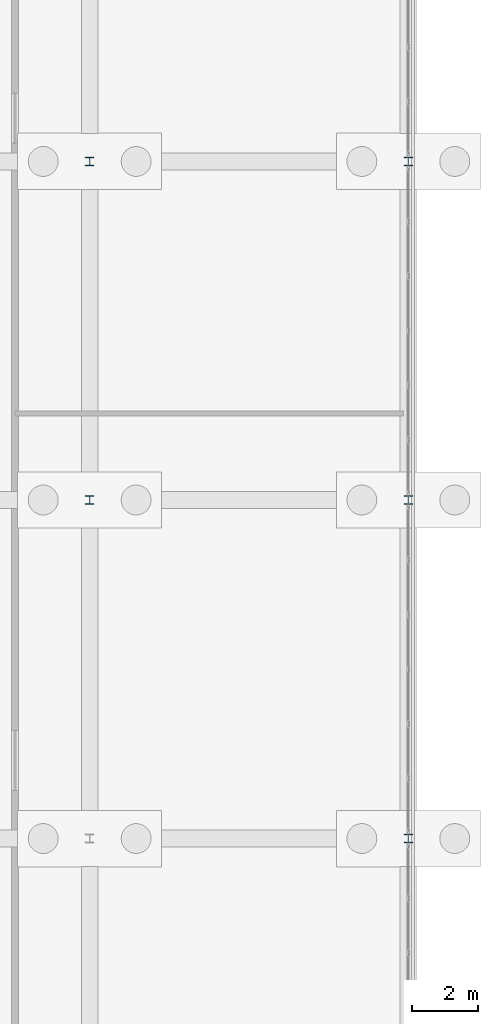
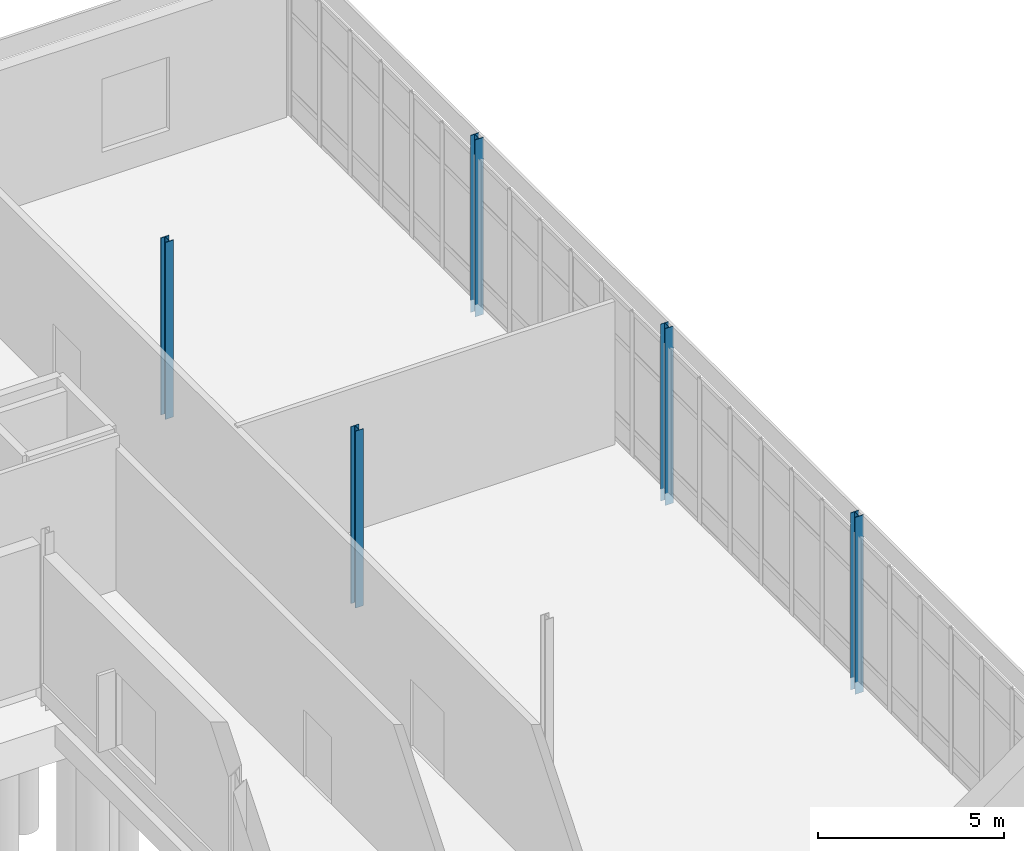
# One storey, part 24 of 137: 5 columns.
"""IFC4 building model written with IfcOpenShell, lengths in metres."""

from ifc_helpers import new_model, si_unit, direction, frame, origin, origin_2d, place, context, subcontext, project, spatial, i_section, extrude, material, material_profile, profile_set, type_object, element, save


model = new_model("IFC4")

# Units and contexts
model_context = context("Model", 3, precision=1e-05, world=origin(), true_north=direction((0.0, 1.0)))
body_context = subcontext(model_context, "Body", "Model", "MODEL_VIEW")
ifc_project = project(units=[si_unit("LENGTHUNIT", "METRE"), si_unit("AREAUNIT", "SQUARE_METRE"), si_unit("VOLUMEUNIT", "CUBIC_METRE"), si_unit("PLANEANGLEUNIT", "RADIAN"), si_unit("MASSUNIT", "GRAM", prefix="KILO")], contexts=[model_context])

# Site, building, storey
site_placement = place(None, origin())
site = spatial("IfcSite", under=ifc_project, at=site_placement, CompositionType="ELEMENT")
building_placement = place(site_placement, origin())
building = spatial("IfcBuilding", under=site, at=building_placement, Name="Vondelvale Polytechnic", CompositionType="ELEMENT")
storey_placement = place(building_placement, origin())
storey = spatial("IfcBuildingStorey", under=building, at=storey_placement, Name="L00", CompositionType="ELEMENT", Elevation=0.0)

# Columns
ifc_material = material(Name="Steel 300PLUS (fy = 300 MPa)", Category="steel")
ifc_material_profile = material_profile(ifc_material, i_section(OverallWidth=0.256103515625, OverallDepth=0.260009765625, WebThickness=0.010498046875, FlangeThickness=0.017333984375, FilletRadius=0.013916015625, at=origin_2d()), Name="250UC89.5")
ifc_profile_set = profile_set([ifc_material_profile], Name="Steel 300PLUS (fy = 300 MPa)")
column_type = type_object("IfcColumnType", Name="COL-UC250", PredefinedType="COLUMN", material=ifc_profile_set)
for number, where, z_axis, x_axis, name in (
    (1, (163.199951171875, 71.39990234375, -0.39990234375), (0.0, 0.0, 1.0), (1.0, 0.0, 0.0), "L00 East pavilion column (163.2,71.4)"),
    (2, (163.199951171875, 81.60009765625, -0.39990234375), (0.0, 0.0, 1.0), (1.0, 0.0, 0.0), "L00 East pavilion column (163.2,81.6)"),
    (3, (172.800048828125, 61.199951171875, -0.39990234375), (0.0, 0.0, 1.0), (1.0, 0.0, 0.0), "L00 East pavilion column (172.8,61.2)"),
    (4, (172.800048828125, 71.39990234375, -0.39990234375), (0.0, 0.0, 1.0), (1.0, 0.0, 0.0), "L00 East pavilion column (172.8,71.4)"),
    (5, (172.800048828125, 81.60009765625, -0.39990234375), (0.0, 0.0, 1.0), (1.0, 0.0, 0.0), "L00 East pavilion column (172.8,81.6)"),
):
    element("IfcColumn", number, at=place(storey_placement, frame(where, z_axis=z_axis, x_axis=x_axis)), inside=storey, type_object=column_type, Name=name, PredefinedType="COLUMN", context=body_context, shape_type="SweptSolid", body=[
        extrude(i_section(OverallWidth=0.256103515625, OverallDepth=0.260009765625, WebThickness=0.010498046875, FlangeThickness=0.017333984375, FilletRadius=0.013916015625, at=origin_2d()), origin(), (0.0, 0.0, 1.0), 5.7998046875),
    ])

save(model, "model.ifc")
